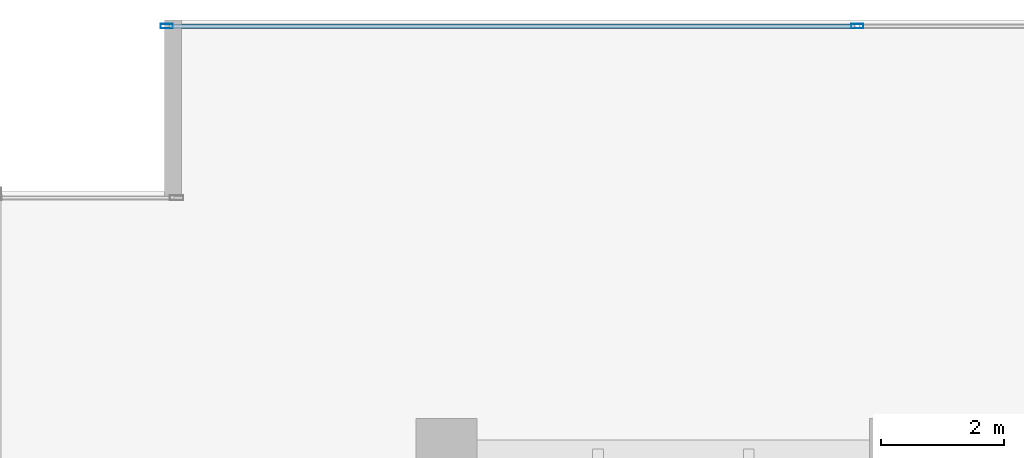
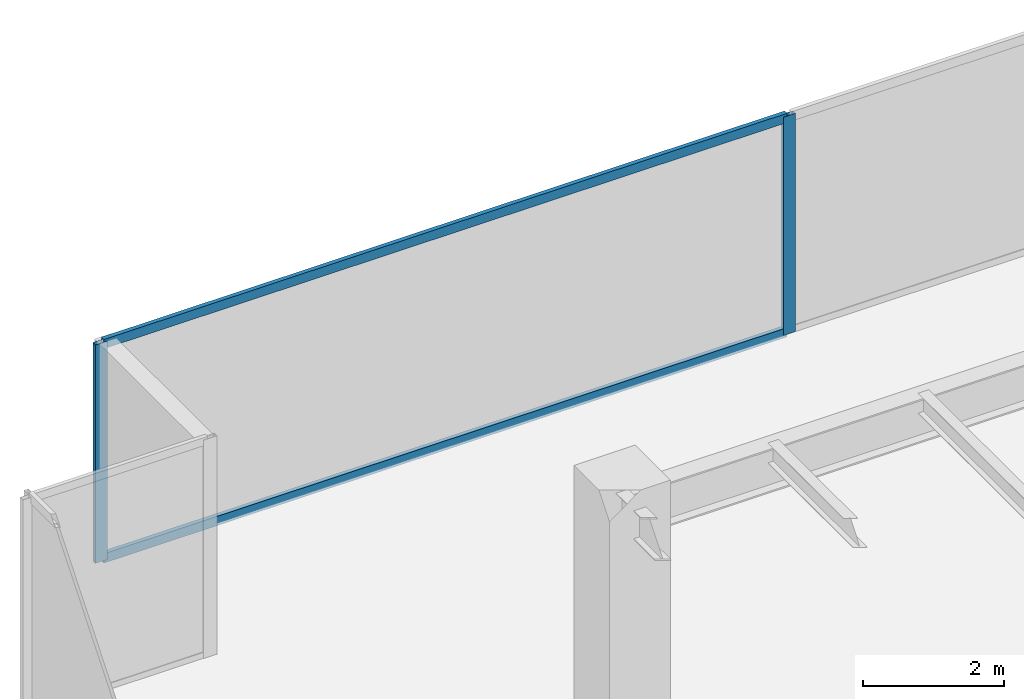
# One storey, part 15 of 35: 4 members, 1 element without a shape of its own.
"""IFC4 building model written with IfcOpenShell, lengths in metres."""

from ifc_helpers import new_model, si_unit, direction, frame, origin, origin_2d, place, context, subcontext, project, spatial, hollow_rectangle, extrude, source, transform, mapped, material, layer, layer_set, material_profile, profile_set, type_object, type_shapes, element, aggregate, save


model = new_model("IFC4")

# Units and contexts
model_context = context("Model", 3, precision=1e-05, world=origin(), true_north=direction((0.0, 1.0)))
body_context = subcontext(model_context, "Body", "Model", "MODEL_VIEW")
ifc_project = project(units=[si_unit("LENGTHUNIT", "METRE"), si_unit("AREAUNIT", "SQUARE_METRE"), si_unit("VOLUMEUNIT", "CUBIC_METRE"), si_unit("PLANEANGLEUNIT", "RADIAN"), si_unit("MASSUNIT", "GRAM", prefix="KILO")], contexts=[model_context])

# Site, building, storey
site_placement = place(None, origin())
site = spatial("IfcSite", under=ifc_project, at=site_placement, CompositionType="ELEMENT")
building_placement = place(site_placement, origin())
building = spatial("IfcBuilding", under=site, at=building_placement, Name="Haelvirn Gate Laboratories", CompositionType="ELEMENT")
storey_placement = place(building_placement, frame((0.0, 0.0, 82.60009765625)))
storey = spatial("IfcBuildingStorey", under=building, at=storey_placement, Name="L20", CompositionType="ELEMENT", Elevation=82.60009765625)

# Curtain wall, members
ifc_material_1 = material(Name="Anodised bronze unitised aluminium & triple low-E glass", Category="aluminium")
ifc_layer = layer(ifc_material_1, 0.18408203125, Name="CW-SYS-2")
ifc_layer_set = layer_set([ifc_layer], Name="Anodised bronze unitised aluminium & triple low-E glass")
curtain_wall_type = type_object("IfcCurtainWallType", Name="CW-SYS-2", PredefinedType="NOTDEFINED", material=ifc_layer_set)
curtain_wall_placement = place(storey_placement, origin())
curtain_wall = element("IfcCurtainWall", 1, at=curtain_wall_placement, inside=storey, type_object=curtain_wall_type, Name="L20 Unitised Curtain Wall CW-L20-P0-E14-1", PredefinedType="NOTDEFINED")
ifc_material_2 = material(Name="Extruded aluminium 6063-T6 (anodised bronze)", Category="aluminium")
ifc_material_profile_1 = material_profile(ifc_material_2, hollow_rectangle(XDim=0.070068359375, YDim=0.159912109375, WallThickness=0.0048828125, at=origin_2d()), Name="CWT-160x70x5")
ifc_profile_set_1 = profile_set([ifc_material_profile_1], Name="Extruded aluminium 6063-T6 (anodised bronze)")
member_type_1 = type_object("IfcMemberType", Name="CWT-T160", PredefinedType="USERDEFINED", material=ifc_profile_set_1)
shared_shape_1 = source(origin(), body_context, "Body", "SweptSolid", [
    extrude(hollow_rectangle(XDim=0.070068359375, YDim=0.159912109375, WallThickness=0.0048828125, at=origin_2d()), origin(), (0.0, 0.0, 1.0), 11.1875),
])
type_shapes(member_type_1, [shared_shape_1])
member_1_placement = place(storey_placement, frame((2.875, 48.5, 0.034912109375), z_axis=(1.0, 0.0, 0.0), x_axis=(0.0, 1.0, 0.0)))
member_1 = element("IfcMember", 2, at=member_1_placement, type_object=member_type_1, Name="CW2 transom 1.1", ObjectType="TRANSOM", PredefinedType="USERDEFINED", context=body_context, shape_type="MappedRepresentation", body=[
    mapped(shared_shape_1, transform((0.0, 0.0, 0.0), scale=1.0)),
])
member_2_placement = place(storey_placement, frame((2.875, 48.5, 3.744873046875), z_axis=(1.0, 0.0, 0.0), x_axis=(0.0, 1.0, 0.0)))
member_2 = element("IfcMember", 3, at=member_2_placement, type_object=member_type_1, Name="CW2 transom 1.2", ObjectType="TRANSOM", PredefinedType="USERDEFINED", context=body_context, shape_type="MappedRepresentation", body=[
    mapped(shared_shape_1, transform((0.0, 0.0, 0.0), scale=1.0)),
])
ifc_material_profile_2 = material_profile(ifc_material_2, hollow_rectangle(XDim=0.074951171875, YDim=0.199951171875, WallThickness=0.0048828125, at=origin_2d()), Name="CWM-200x75x5")
ifc_profile_set_2 = profile_set([ifc_material_profile_2], Name="Extruded aluminium 6063-T6 (anodised bronze)")
member_type_2 = type_object("IfcMemberType", Name="CWM-T200", PredefinedType="MULLION", material=ifc_profile_set_2)
shared_shape_2 = source(origin(), body_context, "Body", "SweptSolid", [
    extrude(hollow_rectangle(XDim=0.074951171875, YDim=0.199951171875, WallThickness=0.0048828125, at=origin_2d()), origin(), (0.0, 0.0, 1.0), 3.77978515625),
])
type_shapes(member_type_2, [shared_shape_2])
member_3_placement = place(storey_placement, frame((2.83740234375, 48.5, 0.0), z_axis=(0.0, 0.0, 1.0), x_axis=(0.0, 1.0, 0.0)))
member_3 = element("IfcMember", 4, at=member_3_placement, type_object=member_type_2, Name="CW2 mullion 1", PredefinedType="MULLION", context=body_context, shape_type="MappedRepresentation", body=[
    mapped(shared_shape_2, transform((0.0, 0.0, 0.0), scale=1.0)),
])
member_4_placement = place(storey_placement, frame((14.10009765625, 48.5, 0.0), z_axis=(0.0, 0.0, 1.0), x_axis=(0.0, 1.0, 0.0)))
member_4 = element("IfcMember", 5, at=member_4_placement, type_object=member_type_2, Name="CW2 mullion 2", PredefinedType="MULLION", context=body_context, shape_type="MappedRepresentation", body=[
    mapped(shared_shape_2, transform((0.0, 0.0, 0.0), scale=1.0)),
])
aggregate(curtain_wall, [member_3, member_4, member_1, member_2])

save(model, "model.ifc")
